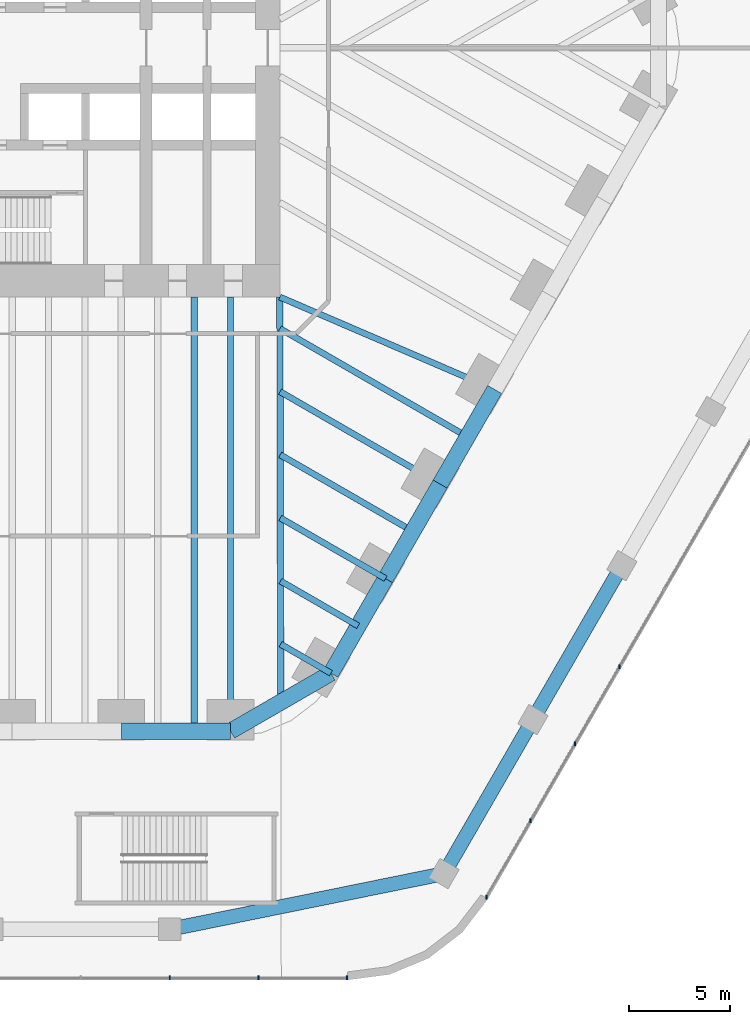
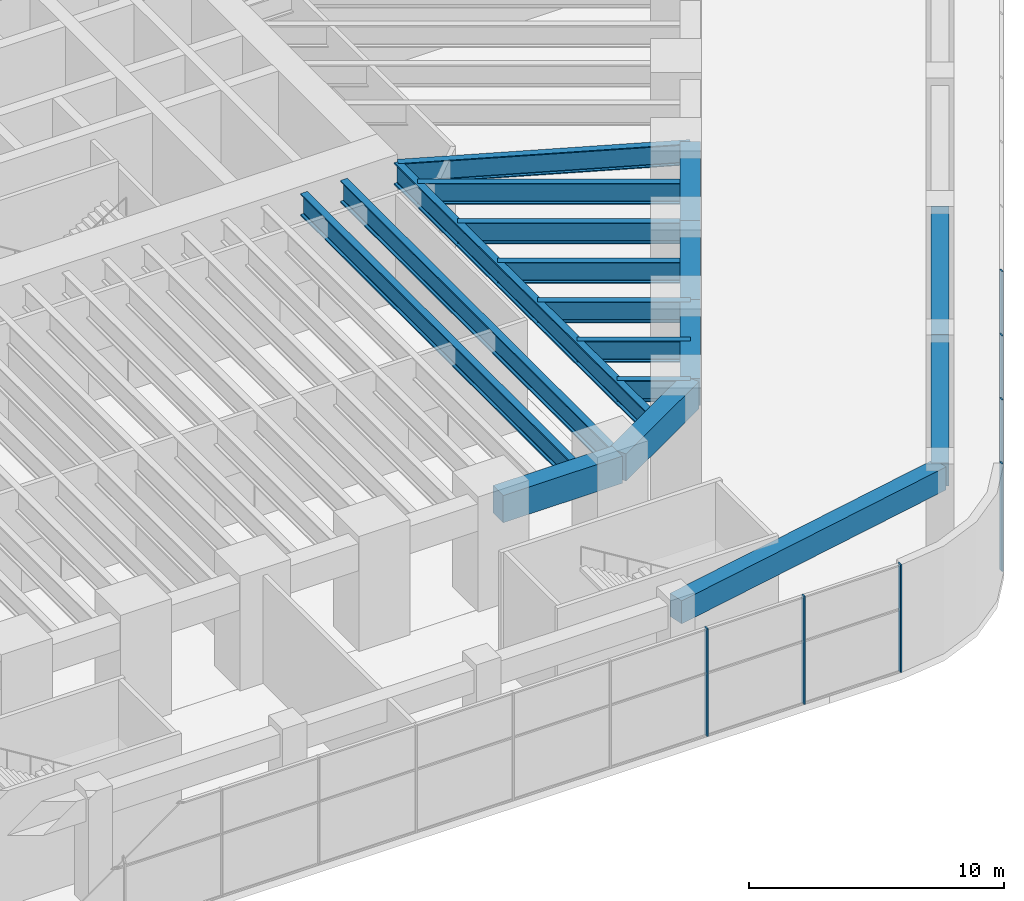
# One storey, part 11 of 31: 18 beams, 7 members, 2 elements without a shape of their own.
"""IFC4 building model written with IfcOpenShell, lengths in metres."""

from ifc_helpers import new_model, si_unit, direction, frame, origin, origin_2d, place, context, subcontext, project, spatial, rectangle, i_section, extrude, material, material_profile, profile_set, type_object, element, aggregate, save


model = new_model("IFC4")

# Units and contexts
model_context = context("Model", 3, precision=1e-05, world=origin(), true_north=direction((0.0, 1.0)))
body_context = subcontext(model_context, "Body", "Model", "MODEL_VIEW")
ifc_project = project(units=[si_unit("LENGTHUNIT", "METRE"), si_unit("AREAUNIT", "SQUARE_METRE"), si_unit("VOLUMEUNIT", "CUBIC_METRE"), si_unit("PLANEANGLEUNIT", "RADIAN"), si_unit("MASSUNIT", "GRAM", prefix="KILO")], contexts=[model_context])

# Site, building, storey
site_placement = place(None, origin())
site = spatial("IfcSite", under=ifc_project, at=site_placement, CompositionType="ELEMENT")
building_placement = place(site_placement, origin())
building = spatial("IfcBuilding", under=site, at=building_placement, Name="Tarfa Lantern Tower", CompositionType="ELEMENT")
storey_placement = place(building_placement, frame((0.0, 0.0, 13.0)))
storey = spatial("IfcBuildingStorey", under=building, at=storey_placement, Name="L02", CompositionType="ELEMENT", Elevation=13.0)

# Curtain wall, members
ifc_material_1 = material(Name="Aluminium framed curtain wall", Category="aluminium")
curtain_wall_type = type_object("IfcCurtainWallType", Name="CW7 PODIUM GLAZING 5150", PredefinedType="USERDEFINED", material=ifc_material_1)
curtain_wall_1_placement = place(storey_placement, origin())
curtain_wall_1 = element("IfcCurtainWall", 1, at=curtain_wall_1_placement, inside=storey, type_object=curtain_wall_type, Name="CW7 S L02", ObjectType="CURTAIN WALL", PredefinedType="USERDEFINED")
ifc_material_2 = material(Name="Aluminium mullion", Category="aluminium")
ifc_material_profile_1 = material_profile(ifc_material_2, rectangle(XDim=0.06494140625, YDim=0.199951171875, at=origin_2d()), Name="AL MULLION 65x200")
ifc_profile_set_1 = profile_set([ifc_material_profile_1], Name="Aluminium mullion")
member_type = type_object("IfcMemberType", Name="CWM1 MULLION 65x200", PredefinedType="MULLION", material=ifc_profile_set_1)
member_1_placement = place(storey_placement, frame((13.16357421875, -45.89990234375, 0.0), z_axis=(0.0, 0.0, 1.0), x_axis=(1.0, 0.0, 0.0)))
member_1 = element("IfcMember", 2, at=member_1_placement, type_object=member_type, Name="CW7 mullion 9", PredefinedType="MULLION", context=body_context, shape_type="SweptSolid", body=[
    extrude(rectangle(XDim=0.06494140625, YDim=0.199951171875, at=origin_2d()), origin(), (0.0, 0.0, 1.0), 5.14990234375),
])
member_2_placement = place(storey_placement, frame((17.551513671875, -45.89990234375, 0.0), z_axis=(0.0, 0.0, 1.0), x_axis=(1.0, 0.0, 0.0)))
member_2 = element("IfcMember", 3, at=member_2_placement, type_object=member_type, Name="CW7 mullion 10", PredefinedType="MULLION", context=body_context, shape_type="SweptSolid", body=[
    extrude(rectangle(XDim=0.06494140625, YDim=0.199951171875, at=origin_2d()), origin(), (0.0, 0.0, 1.0), 5.14990234375),
])
member_3_placement = place(storey_placement, frame((21.90673828125, -45.89990234375, 0.0), z_axis=(0.0, 0.0, 1.0), x_axis=(1.0, 0.0, 0.0)))
member_3 = element("IfcMember", 4, at=member_3_placement, type_object=member_type, Name="CW7 mullion 11", PredefinedType="MULLION", context=body_context, shape_type="SweptSolid", body=[
    extrude(rectangle(XDim=0.06494140625, YDim=0.199951171875, at=origin_2d()), origin(), (0.0, 0.0, 1.0), 5.14990234375),
])
aggregate(curtain_wall_1, [member_1, member_2, member_3])

curtain_wall_2_placement = place(storey_placement, origin())
curtain_wall_2 = element("IfcCurtainWall", 5, at=curtain_wall_2_placement, inside=storey, type_object=curtain_wall_type, Name="CW7 SE L02", ObjectType="CURTAIN WALL", PredefinedType="USERDEFINED")
member_4_placement = place(storey_placement, frame((28.797119140625, -41.921875, 0.0), z_axis=(0.0, 0.0, 1.0), x_axis=(1.0, 0.0, 0.0)))
member_4 = element("IfcMember", 6, at=member_4_placement, type_object=member_type, Name="CW7 mullion 1", PredefinedType="MULLION", context=body_context, shape_type="SweptSolid", body=[
    extrude(rectangle(XDim=0.06494140625, YDim=0.199951171875, at=origin_2d()), origin(), (0.0, 0.0, 1.0), 5.14990234375),
])
member_5_placement = place(storey_placement, frame((30.974853515625, -38.14990234375, 0.0), z_axis=(0.0, 0.0, 1.0), x_axis=(1.0, 0.0, 0.0)))
member_5 = element("IfcMember", 7, at=member_5_placement, type_object=member_type, Name="CW7 mullion 2", PredefinedType="MULLION", context=body_context, shape_type="SweptSolid", body=[
    extrude(rectangle(XDim=0.06494140625, YDim=0.199951171875, at=origin_2d()), origin(), (0.0, 0.0, 1.0), 5.14990234375),
])
member_6_placement = place(storey_placement, frame((33.168701171875, -34.35009765625, 0.0), z_axis=(0.0, 0.0, 1.0), x_axis=(1.0, 0.0, 0.0)))
member_6 = element("IfcMember", 8, at=member_6_placement, type_object=member_type, Name="CW7 mullion 3", PredefinedType="MULLION", context=body_context, shape_type="SweptSolid", body=[
    extrude(rectangle(XDim=0.06494140625, YDim=0.199951171875, at=origin_2d()), origin(), (0.0, 0.0, 1.0), 5.14990234375),
])
member_7_placement = place(storey_placement, frame((35.36279296875, -30.550048828125, 0.0), z_axis=(0.0, 0.0, 1.0), x_axis=(1.0, 0.0, 0.0)))
member_7 = element("IfcMember", 9, at=member_7_placement, type_object=member_type, Name="CW7 mullion 4", PredefinedType="MULLION", context=body_context, shape_type="SweptSolid", body=[
    extrude(rectangle(XDim=0.06494140625, YDim=0.199951171875, at=origin_2d()), origin(), (0.0, 0.0, 1.0), 5.14990234375),
])
aggregate(curtain_wall_2, [member_4, member_5, member_6, member_7])

# Beams
ifc_material_3 = material(Name="Concrete C80/95", Category="concrete")
ifc_material_profile_2 = material_profile(ifc_material_3, rectangle(XDim=0.800048828125, YDim=1.300048828125, at=origin_2d()), Name="RC 800x1300")
ifc_profile_set_2 = profile_set([ifc_material_profile_2], Name="Concrete C80/95")
beam_type_1 = type_object("IfcBeamType", Name="EB1 RC 800x1300", PredefinedType="SPANDREL", material=ifc_profile_set_2)
beam_1_placement = place(storey_placement, frame((10.777099609375, -33.719970703125, 4.5), z_axis=(1.0, 0.0, 0.0), x_axis=(0.0, 1.0, 0.0)))
element("IfcBeam", 10, at=beam_1_placement, inside=storey, type_object=beam_type_1, Name="Edge beam S5", PredefinedType="SPANDREL", context=body_context, shape_type="SweptSolid", body=[
    extrude(rectangle(XDim=0.800048828125, YDim=1.300048828125, at=origin_2d()), origin(), (0.0, 0.0, 1.0), 5.388671875),
])
beam_2_placement = place(storey_placement, frame((16.165771484375, -33.719970703125, 4.5), z_axis=(0.866033479681, 0.499986011877, 0.0), x_axis=(-0.499986011877, 0.866033479681, 0.0)))
element("IfcBeam", 11, at=beam_2_placement, inside=storey, type_object=beam_type_1, Name="Edge beam S6", PredefinedType="SPANDREL", context=body_context, shape_type="SweptSolid", body=[
    extrude(rectangle(XDim=0.800048828125, YDim=1.300048828125, at=origin_2d()), origin(), (0.0, 0.0, 1.0), 5.719970703125),
])
for number, where, z_axis, x_axis, name in (
    (12, (21.119384765625, -30.860107421875, 4.5), (0.499998287579, 0.866026392449, 0.0), (-0.866026392449, 0.499998287579, 0.0), "Edge beam SE0"),
    (13, (23.813720703125, -26.193359375, 4.5), (0.499998287579, 0.866026392449, 0.0), (-0.866026392449, 0.499998287579, 0.0), "Edge beam SE1"),
):
    element("IfcBeam", number, at=place(storey_placement, frame(where, z_axis=z_axis, x_axis=x_axis)), inside=storey, type_object=beam_type_1, Name=name, PredefinedType="SPANDREL", context=body_context, shape_type="SweptSolid", body=[
        extrude(rectangle(XDim=0.800048828125, YDim=1.300048828125, at=origin_2d()), origin(), (0.0, 0.0, 1.0), 5.388671875),
    ])
beam_3_placement = place(storey_placement, frame((26.508056640625, -21.526611328125, 4.5), z_axis=(0.500017906299, 0.866015065331, 0.0), x_axis=(-0.866015065331, 0.500017906299, 0.0)))
element("IfcBeam", 14, at=beam_3_placement, inside=storey, type_object=beam_type_1, Name="Edge beam SE2", PredefinedType="SPANDREL", context=body_context, shape_type="SweptSolid", body=[
    extrude(rectangle(XDim=0.800048828125, YDim=1.300048828125, at=origin_2d()), origin(), (0.0, 0.0, 1.0), 5.388427734375),
])
ifc_material_profile_3 = material_profile(ifc_material_3, rectangle(XDim=0.699951171875, YDim=1.10009765625, at=origin_2d()), Name="RC 700x1100")
ifc_profile_set_3 = profile_set([ifc_material_profile_3], Name="Concrete C80/95")
beam_type_2 = type_object("IfcBeamType", Name="PB1 RC 700x1100", PredefinedType="BEAM", material=ifc_profile_set_3)
beam_4_placement = place(storey_placement, frame((13.16357421875, -43.5, 4.60009765625), z_axis=(0.979988342999, 0.199054885863, 0.0), x_axis=(-0.199054885863, 0.979988342999, 0.0)))
element("IfcBeam", 15, at=beam_4_placement, inside=storey, type_object=beam_type_2, Name="Podium ring beam S4", PredefinedType="BEAM", context=body_context, shape_type="SweptSolid", body=[
    extrude(rectangle(XDim=0.699951171875, YDim=1.10009765625, at=origin_2d()), origin(), (0.0, 0.0, 1.0), 13.815185546875),
])
beam_5_placement = place(storey_placement, frame((26.702392578125, -40.75, 4.60009765625), z_axis=(0.50000179687, 0.866024366359, 0.0), x_axis=(-0.866024366359, 0.50000179687, 0.0)))
element("IfcBeam", 16, at=beam_5_placement, inside=storey, type_object=beam_type_2, Name="Podium ring beam SE0", PredefinedType="BEAM", context=body_context, shape_type="SweptSolid", body=[
    extrude(rectangle(XDim=0.699951171875, YDim=1.10009765625, at=origin_2d()), origin(), (0.0, 0.0, 1.0), 8.77587890625),
])
beam_6_placement = place(storey_placement, frame((31.09033203125, -33.14990234375, 4.60009765625), z_axis=(0.500013843384, 0.866017411155, 0.0), x_axis=(-0.866017411155, 0.500013843384, 0.0)))
element("IfcBeam", 17, at=beam_6_placement, inside=storey, type_object=beam_type_2, Name="Podium ring beam SE1", PredefinedType="BEAM", context=body_context, shape_type="SweptSolid", body=[
    extrude(rectangle(XDim=0.699951171875, YDim=1.10009765625, at=origin_2d()), origin(), (0.0, 0.0, 1.0), 8.775634765625),
])
ifc_material_4 = material(Name="Steel S460M", Category="steel")
ifc_material_profile_4 = material_profile(ifc_material_4, i_section(OverallWidth=0.302001953125, OverallDepth=1.008056640625, WebThickness=0.02099609375, FlangeThickness=0.0400390625, FilletRadius=0.030029296875, at=origin_2d()), Name="UB1016x305x349")
ifc_profile_set_4 = profile_set([ifc_material_profile_4], Name="Steel S460M")
beam_type_3 = type_object("IfcBeamType", Name="UB1016x305x349", PredefinedType="BEAM", material=ifc_profile_set_4)
beam_7_placement = place(storey_placement, frame((21.119384765625, -30.860107421875, 4.64599609375), z_axis=(-0.866012580594, 0.500022209759, 0.0), x_axis=(-0.500022209759, -0.866012580594, 0.0)))
element("IfcBeam", 18, at=beam_7_placement, inside=storey, type_object=beam_type_3, Name="Floor beam SE0", PredefinedType="BEAM", context=body_context, shape_type="SweptSolid", body=[
    extrude(i_section(OverallWidth=0.302001953125, OverallDepth=1.008056640625, WebThickness=0.02099609375, FlangeThickness=0.0400390625, FilletRadius=0.030029296875, at=origin_2d()), origin(), (0.0, 0.0, 1.0), 2.866943359375),
])
beam_8_placement = place(storey_placement, frame((23.813720703125, -26.193359375, 4.64599609375), z_axis=(-0.866015997389, 0.500016292001, 0.0), x_axis=(-0.500016292001, -0.866015997389, 0.0)))
element("IfcBeam", 19, at=beam_8_placement, inside=storey, type_object=beam_type_3, Name="Floor beam SE1", PredefinedType="BEAM", context=body_context, shape_type="SweptSolid", body=[
    extrude(i_section(OverallWidth=0.302001953125, OverallDepth=1.008056640625, WebThickness=0.02099609375, FlangeThickness=0.0400390625, FilletRadius=0.030029296875, at=origin_2d()), origin(), (0.0, 0.0, 1.0), 5.993408203125),
])
beam_9_placement = place(storey_placement, frame((26.508056640625, -21.526611328125, 4.64599609375), z_axis=(-0.866035355799, 0.49998276221, 0.0), x_axis=(-0.49998276221, -0.866035355799, 0.0)))
element("IfcBeam", 20, at=beam_9_placement, inside=storey, type_object=beam_type_3, Name="Floor beam SE2", PredefinedType="BEAM", context=body_context, shape_type="SweptSolid", body=[
    extrude(i_section(OverallWidth=0.302001953125, OverallDepth=1.008056640625, WebThickness=0.02099609375, FlangeThickness=0.0400390625, FilletRadius=0.030029296875, at=origin_2d()), origin(), (0.0, 0.0, 1.0), 9.119873046875),
])
beam_10_placement = place(storey_placement, frame((29.202392578125, -16.860107421875, 4.64599609375), z_axis=(-0.918635483867, 0.395106122175, 0.0), x_axis=(-0.395106122175, -0.918635483867, 0.0)))
element("IfcBeam", 21, at=beam_10_placement, inside=storey, type_object=beam_type_3, Name="Floor beam SE3", PredefinedType="BEAM", context=body_context, shape_type="SweptSolid", body=[
    extrude(i_section(OverallWidth=0.302001953125, OverallDepth=1.008056640625, WebThickness=0.02099609375, FlangeThickness=0.0400390625, FilletRadius=0.030029296875, at=origin_2d()), origin(), (0.0, 0.0, 1.0), 11.541259765625),
])
beam_11_placement = place(storey_placement, frame((22.466552734375, -28.526611328125, 4.64599609375), z_axis=(-0.866026823135, 0.499997541604, 0.0), x_axis=(-0.499997541604, -0.866026823135, 0.0)))
element("IfcBeam", 22, at=beam_11_placement, inside=storey, type_object=beam_type_3, Name="Floor beam SE0M", PredefinedType="BEAM", context=body_context, shape_type="SweptSolid", body=[
    extrude(i_section(OverallWidth=0.302001953125, OverallDepth=1.008056640625, WebThickness=0.02099609375, FlangeThickness=0.0400390625, FilletRadius=0.030029296875, at=origin_2d()), origin(), (0.0, 0.0, 1.0), 4.43017578125),
])
beam_12_placement = place(storey_placement, frame((25.160888671875, -23.860107421875, 4.64599609375), z_axis=(-0.866009650502, 0.500027284493, 0.0), x_axis=(-0.500027284493, -0.866009650502, 0.0)))
element("IfcBeam", 23, at=beam_12_placement, inside=storey, type_object=beam_type_3, Name="Floor beam SE1M", PredefinedType="BEAM", context=body_context, shape_type="SweptSolid", body=[
    extrude(i_section(OverallWidth=0.302001953125, OverallDepth=1.008056640625, WebThickness=0.02099609375, FlangeThickness=0.0400390625, FilletRadius=0.030029296875, at=origin_2d()), origin(), (0.0, 0.0, 1.0), 7.556640625),
])
beam_13_placement = place(storey_placement, frame((27.855224609375, -19.193359375, 4.64599609375), z_axis=(-0.866028034017, 0.499995444275, 0.0), x_axis=(-0.499995444275, -0.866028034017, 0.0)))
element("IfcBeam", 24, at=beam_13_placement, inside=storey, type_object=beam_type_3, Name="Floor beam SE2M", PredefinedType="BEAM", context=body_context, shape_type="SweptSolid", body=[
    extrude(i_section(OverallWidth=0.302001953125, OverallDepth=1.008056640625, WebThickness=0.02099609375, FlangeThickness=0.0400390625, FilletRadius=0.030029296875, at=origin_2d()), origin(), (0.0, 0.0, 1.0), 10.68310546875),
])
ifc_material_profile_5 = material_profile(ifc_material_4, i_section(OverallWidth=0.314208984375, OverallDepth=1.055908203125, WebThickness=0.035888671875, FlangeThickness=0.06396484375, FilletRadius=0.030029296875, at=origin_2d()), Name="UB1016x305x584")
ifc_profile_set_5 = profile_set([ifc_material_profile_5], Name="Steel S460M")
beam_type_4 = type_object("IfcBeamType", Name="UB1016x305x584", PredefinedType="BEAM", material=ifc_profile_set_5)
beam_14_placement = place(storey_placement, frame((18.60009765625, -12.300048828125, 4.6220703125), z_axis=(0.00212508222, -0.99999774201, 0.0), x_axis=(0.99999774201, 0.00212508222, 0.0)))
element("IfcBeam", 25, at=beam_14_placement, inside=storey, type_object=beam_type_4, Name="Hip girder SE", PredefinedType="BEAM", context=body_context, shape_type="SweptSolid", body=[
    extrude(i_section(OverallWidth=0.314208984375, OverallDepth=1.055908203125, WebThickness=0.035888671875, FlangeThickness=0.06396484375, FilletRadius=0.030029296875, at=origin_2d()), origin(), (0.0, 0.0, 1.0), 19.989990234375),
])
for number, where, z_axis, x_axis, name in (
    (26, (16.165771484375, -33.719970703125, 4.6220703125), (0.0, 1.0, 0.0), (-1.0, 0.0, 0.0), "Floor beam S6"),
    (27, (14.36962890625, -33.719970703125, 4.6220703125), (0.0, 1.0, 0.0), (-1.0, 0.0, 0.0), "Floor beam S5M2"),
):
    element("IfcBeam", number, at=place(storey_placement, frame(where, z_axis=z_axis, x_axis=x_axis)), inside=storey, type_object=beam_type_4, Name=name, PredefinedType="BEAM", context=body_context, shape_type="SweptSolid", body=[
        extrude(i_section(OverallWidth=0.314208984375, OverallDepth=1.055908203125, WebThickness=0.035888671875, FlangeThickness=0.06396484375, FilletRadius=0.030029296875, at=origin_2d()), origin(), (0.0, 0.0, 1.0), 21.419921875),
    ])

save(model, "model.ifc")
